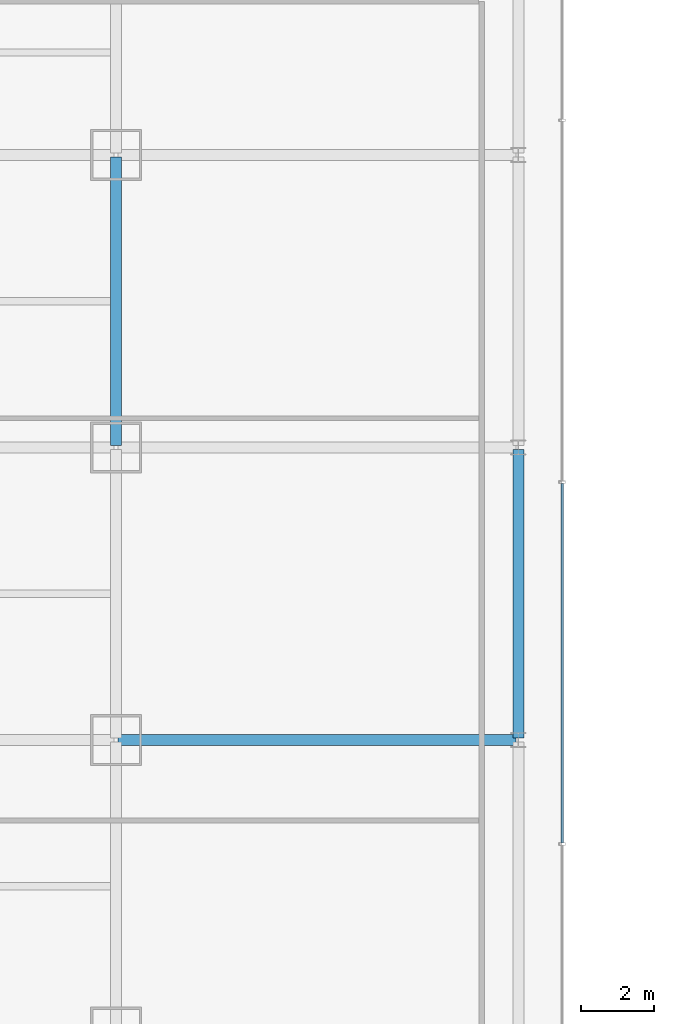
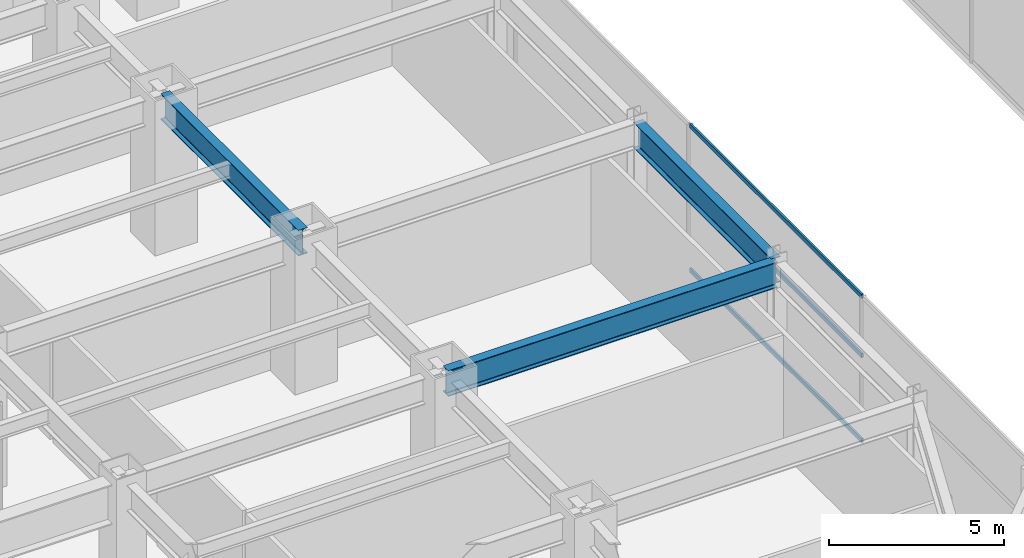
# One storey, part 21 of 52: 3 beams, 3 members, 1 element without a shape of its own.
"""IFC4 building model written with IfcOpenShell, lengths in metres."""

from ifc_helpers import new_model, si_unit, direction, frame, origin, origin_2d, place, context, subcontext, project, spatial, hollow_rectangle, i_section, extrude, material, material_profile, profile_set, type_object, element, aggregate, save


model = new_model("IFC4")

# Units and contexts
model_context = context("Model", 3, precision=1e-05, world=origin(), true_north=direction((0.0, 1.0)))
body_context = subcontext(model_context, "Body", "Model", "MODEL_VIEW")
ifc_project = project(units=[si_unit("LENGTHUNIT", "METRE"), si_unit("AREAUNIT", "SQUARE_METRE"), si_unit("VOLUMEUNIT", "CUBIC_METRE"), si_unit("PLANEANGLEUNIT", "RADIAN"), si_unit("MASSUNIT", "GRAM", prefix="KILO")], contexts=[model_context])

# Site, building, storey
site_placement = place(None, origin())
site = spatial("IfcSite", under=ifc_project, at=site_placement, CompositionType="ELEMENT")
building_placement = place(site_placement, origin())
building = spatial("IfcBuilding", under=site, at=building_placement, Name="Saevonmaru Cultural Tower", CompositionType="ELEMENT")
storey_placement = place(building_placement, frame((0.0, 0.0, 16.800048828125)))
storey = spatial("IfcBuildingStorey", under=building, at=storey_placement, Name="L03", CompositionType="ELEMENT", Elevation=16.800048828125)

# Beams
ifc_material_1 = material(Name="Steel SM420", Category="steel")
ifc_material_profile_1 = material_profile(ifc_material_1, i_section(OverallWidth=0.300048828125, OverallDepth=0.89990234375, WebThickness=0.01611328125, FlangeThickness=0.028076171875, FilletRadius=0.028076171875, at=origin_2d()), Name="H-900x300x16x28")
ifc_profile_set_1 = profile_set([ifc_material_profile_1], Name="Steel SM420")
beam_type = type_object("IfcBeamType", Name="BM-G-H900", PredefinedType="BEAM", material=ifc_profile_set_1)
beam_1_placement = place(storey_placement, frame((47.800048828125, 24.06005859375, 4.64990234375), z_axis=(0.0, 1.0, 0.0), x_axis=(-1.0, 0.0, 0.0)))
element("IfcBeam", 1, at=beam_1_placement, inside=storey, type_object=beam_type, Name="L03 Podium Girder NS4-4", PredefinedType="BEAM", context=body_context, shape_type="SweptSolid", body=[
    extrude(i_section(OverallWidth=0.300048828125, OverallDepth=0.89990234375, WebThickness=0.01611328125, FlangeThickness=0.028076171875, FilletRadius=0.028076171875, at=origin_2d()), origin(), (0.0, 0.0, 1.0), 7.8798828125),
])
beam_2_placement = place(storey_placement, frame((47.860107421875, 16.0, 4.64990234375), z_axis=(1.0, 0.0, 0.0), x_axis=(0.0, 1.0, 0.0)))
element("IfcBeam", 2, at=beam_2_placement, inside=storey, type_object=beam_type, Name="BM-POD-OE-2-L03", PredefinedType="BEAM", context=body_context, shape_type="SweptSolid", body=[
    extrude(i_section(OverallWidth=0.300048828125, OverallDepth=0.89990234375, WebThickness=0.01611328125, FlangeThickness=0.028076171875, FilletRadius=0.028076171875, at=origin_2d()), origin(), (0.0, 0.0, 1.0), 10.8798828125),
])
beam_3_placement = place(storey_placement, frame((58.800048828125, 16.06005859375, 4.64990234375), z_axis=(0.0, 1.0, 0.0), x_axis=(-1.0, 0.0, 0.0)))
element("IfcBeam", 3, at=beam_3_placement, inside=storey, type_object=beam_type, Name="BM-POD-PE-2-L03", PredefinedType="BEAM", context=body_context, shape_type="SweptSolid", body=[
    extrude(i_section(OverallWidth=0.300048828125, OverallDepth=0.89990234375, WebThickness=0.01611328125, FlangeThickness=0.028076171875, FilletRadius=0.028076171875, at=origin_2d()), origin(), (0.0, 0.0, 1.0), 7.8798828125),
])

# Curtain wall, members
ifc_material_2 = material(Name="Satin Bronze Anodised Aluminium", Category="aluminium")
curtain_wall_type = type_object("IfcCurtainWallType", Name="CW-POD-GLZ", PredefinedType="NOTDEFINED", material=ifc_material_2)
curtain_wall_placement = place(storey_placement, origin())
curtain_wall = element("IfcCurtainWall", 4, at=curtain_wall_placement, inside=storey, type_object=curtain_wall_type, Name="L03 Saevon Plaza Curtain Wall", PredefinedType="NOTDEFINED")
ifc_material_profile_2 = material_profile(ifc_material_2, hollow_rectangle(XDim=0.06494140625, YDim=0.14990234375, WallThickness=0.00390625, at=origin_2d()), Name="ALU-TRAN-150x65x4")
ifc_profile_set_2 = profile_set([ifc_material_profile_2], Name="Satin Bronze Anodised Aluminium")
member_type = type_object("IfcMemberType", Name="TR-CW-150x65", PredefinedType="USERDEFINED", material=ifc_profile_set_2)
member_1_placement = place(storey_placement, frame((60.0, 13.1884765625, 0.032470703125), z_axis=(0.0, 1.0, 0.0), x_axis=(-1.0, 0.0, 0.0)))
member_1 = element("IfcMember", 5, at=member_1_placement, type_object=member_type, Name="CW-POD-E-L03 transom 2.1", ObjectType="TRANSOM", PredefinedType="USERDEFINED", context=body_context, shape_type="SweptSolid", body=[
    extrude(hollow_rectangle(XDim=0.06494140625, YDim=0.14990234375, WallThickness=0.00390625, at=origin_2d()), origin(), (0.0, 0.0, 1.0), 9.8310546875),
])
member_2_placement = place(storey_placement, frame((60.0, 13.1884765625, 3.0), z_axis=(0.0, 1.0, 0.0), x_axis=(-1.0, 0.0, 0.0)))
member_2 = element("IfcMember", 6, at=member_2_placement, type_object=member_type, Name="CW-POD-E-L03 transom 2.2", ObjectType="TRANSOM", PredefinedType="USERDEFINED", context=body_context, shape_type="SweptSolid", body=[
    extrude(hollow_rectangle(XDim=0.06494140625, YDim=0.14990234375, WallThickness=0.00390625, at=origin_2d()), origin(), (0.0, 0.0, 1.0), 9.8310546875),
])
member_3_placement = place(storey_placement, frame((60.0, 13.1884765625, 5.0673828125), z_axis=(0.0, 1.0, 0.0), x_axis=(-1.0, 0.0, 0.0)))
member_3 = element("IfcMember", 7, at=member_3_placement, type_object=member_type, Name="CW-POD-E-L03 transom 2.3", ObjectType="TRANSOM", PredefinedType="USERDEFINED", context=body_context, shape_type="SweptSolid", body=[
    extrude(hollow_rectangle(XDim=0.06494140625, YDim=0.14990234375, WallThickness=0.00390625, at=origin_2d()), origin(), (0.0, 0.0, 1.0), 9.8310546875),
])
aggregate(curtain_wall, [member_1, member_2, member_3])

save(model, "model.ifc")
